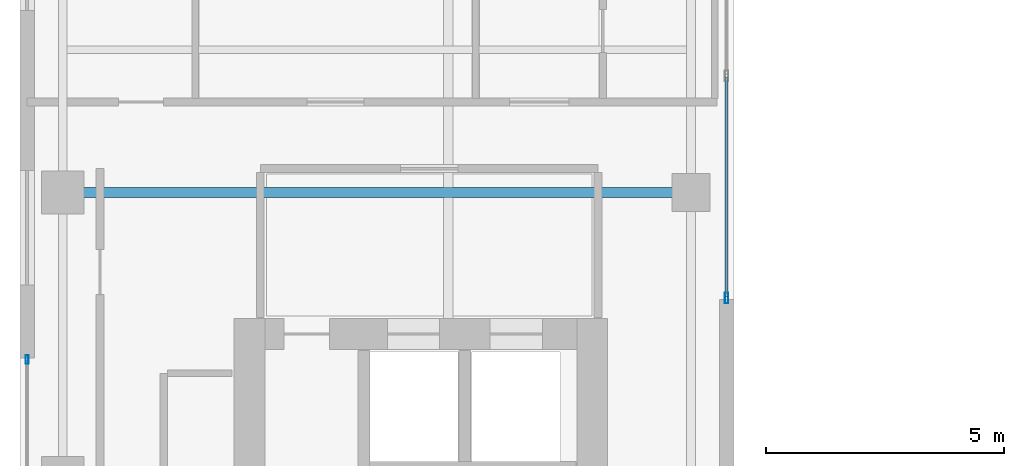
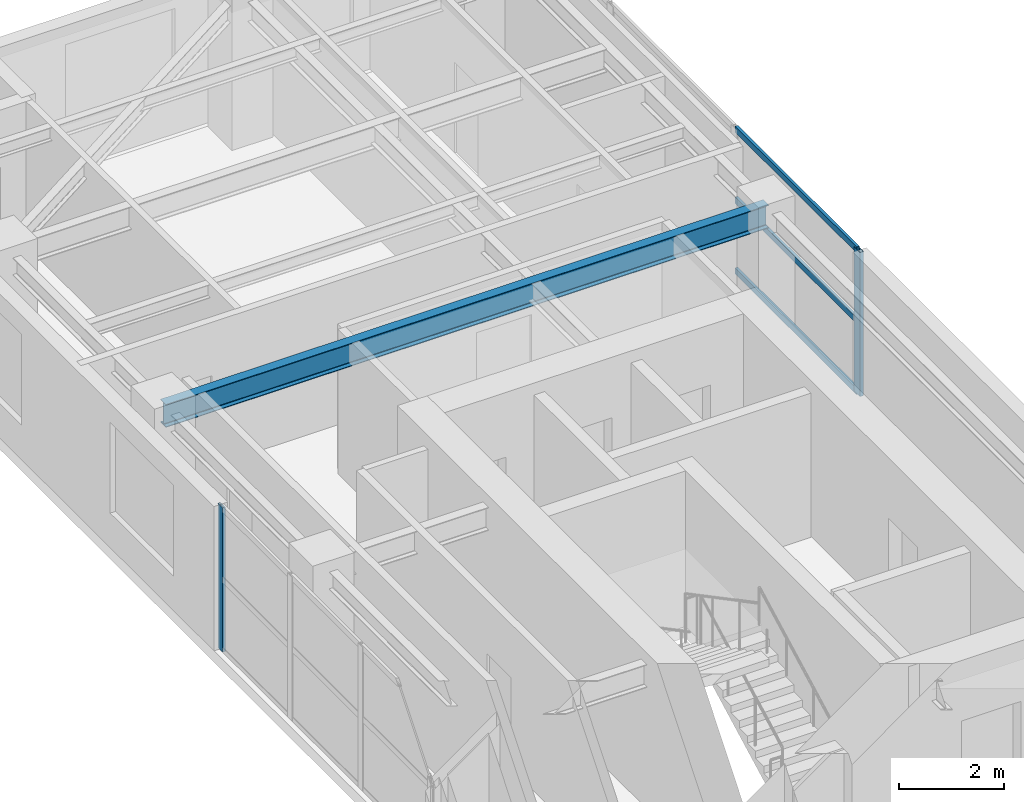
# One storey, part 7 of 22: 5 members, 1 beam, 2 elements without a shape of their own.
"""IFC4 building model written with IfcOpenShell, lengths in metres."""

from ifc_helpers import new_model, si_unit, direction, frame, origin, origin_2d, place, context, subcontext, project, spatial, hollow_rectangle, i_section, extrude, source, transform, mapped, material, layer, layer_set, material_profile, profile_set, type_object, element, aggregate, save


model = new_model("IFC4")

# Units and contexts
model_context = context("Model", 3, precision=1e-05, world=origin(), true_north=direction((0.0, 1.0)))
body_context = subcontext(model_context, "Body", "Model", "MODEL_VIEW")
ifc_project = project(units=[si_unit("LENGTHUNIT", "METRE"), si_unit("AREAUNIT", "SQUARE_METRE"), si_unit("VOLUMEUNIT", "CUBIC_METRE"), si_unit("PLANEANGLEUNIT", "RADIAN"), si_unit("MASSUNIT", "GRAM", prefix="KILO")], contexts=[model_context])

# Site, building, storey
site_placement = place(None, origin())
site = spatial("IfcSite", under=ifc_project, at=site_placement, CompositionType="ELEMENT")
building_placement = place(site_placement, origin())
building = spatial("IfcBuilding", under=site, at=building_placement, Name="Khoralis Quay Care Tower", CompositionType="ELEMENT")
storey_placement = place(building_placement, frame((0.0, 0.0, 184.5)))
storey = spatial("IfcBuildingStorey", under=building, at=storey_placement, Name="L48", CompositionType="ELEMENT", Elevation=184.5)

# Beam
ifc_material_1 = material(Name="Steel S355", Category="steel")
ifc_material_profile_1 = material_profile(ifc_material_1, i_section(OverallWidth=0.208984375, OverallDepth=0.532958984375, WebThickness=0.01025390625, FlangeThickness=0.015625, FilletRadius=0.01611328125, at=origin_2d()), Name="Steel S355")
ifc_profile_set_1 = profile_set([ifc_material_profile_1], Name="Steel S355")
beam_type = type_object("IfcBeamType", Name="BM-W530X92", PredefinedType="BEAM", material=ifc_profile_set_1)
shared_shape_1 = source(origin(), body_context, "Body", "SweptSolid", [
    extrude(i_section(OverallWidth=0.208984375, OverallDepth=0.532958984375, WebThickness=0.01025390625, FlangeThickness=0.015625, FilletRadius=0.01611328125, at=origin_2d()), origin(), (0.0, 0.0, 1.0), 13.2001953125),
])
beam_placement = place(storey_placement, frame((3.89990234375, 30.0, 3.073486328125), z_axis=(1.0, 0.0, 0.0), x_axis=(0.0, 1.0, 0.0)))
element("IfcBeam", 1, at=beam_placement, inside=storey, type_object=beam_type, Name="BM-TGXW-L48-300", PredefinedType="BEAM", context=body_context, shape_type="MappedRepresentation", body=[
    mapped(shared_shape_1, transform((0.0, 0.0, 0.0), scale=1.0)),
])

# Curtain wall, member
ifc_material_2 = material(Name="Pale anodised aluminium", Category="aluminium")
ifc_layer_1 = layer(ifc_material_2, 0.159912109375)
ifc_layer_set_1 = layer_set([ifc_layer_1], Name="Pale anodised aluminium")
curtain_wall_type_1 = type_object("IfcCurtainWallType", Name="CW-SYS-Z3", PredefinedType="NOTDEFINED", material=ifc_layer_set_1)
curtain_wall_1_placement = place(storey_placement, origin())
curtain_wall_1 = element("IfcCurtainWall", 2, at=curtain_wall_1_placement, inside=storey, type_object=curtain_wall_type_1, Name="L48 Unitised Curtain Wall CW-L48-P1-E7", PredefinedType="NOTDEFINED")
ifc_material_profile_2 = material_profile(ifc_material_2, hollow_rectangle(XDim=0.06494140625, YDim=0.179931640625, WallThickness=0.00390625, at=origin_2d()), Name="Pale anodised aluminium")
ifc_profile_set_2 = profile_set([ifc_material_profile_2], Name="Pale anodised aluminium")
member_type_1 = type_object("IfcMemberType", Name="CW-MUL-180", PredefinedType="MULLION", material=ifc_profile_set_2)
shared_shape_2 = source(origin(), body_context, "Body", "SweptSolid", [
    extrude(hollow_rectangle(XDim=0.06494140625, YDim=0.179931640625, WallThickness=0.00390625, at=origin_2d()), origin(), (0.0, 0.0, 1.0), 3.340087890625),
])
member_1_placement = place(storey_placement, frame((3.14990234375, 26.489990234375, 0.0), z_axis=(0.0, 0.0, 1.0), x_axis=(1.0, 0.0, 0.0)))
member_1 = element("IfcMember", 3, at=member_1_placement, type_object=member_type_1, Name="CW3 mullion 1", PredefinedType="MULLION", context=body_context, shape_type="MappedRepresentation", body=[
    mapped(shared_shape_2, transform((0.0, 0.0, 0.0), scale=1.0)),
])
aggregate(curtain_wall_1, [member_1])

# Curtain wall, members
ifc_layer_2 = layer(ifc_material_2, 0.18994140625)
ifc_layer_set_2 = layer_set([ifc_layer_2], Name="Pale anodised aluminium")
curtain_wall_type_2 = type_object("IfcCurtainWallType", Name="CW-SYS-PORTAL", PredefinedType="NOTDEFINED", material=ifc_layer_set_2)
curtain_wall_2_placement = place(storey_placement, origin())
curtain_wall_2 = element("IfcCurtainWall", 4, at=curtain_wall_2_placement, inside=storey, type_object=curtain_wall_type_2, Name="L48 Unitised Curtain Wall CW-VP-L48-P1-N", PredefinedType="NOTDEFINED")
ifc_material_profile_3 = material_profile(ifc_material_2, hollow_rectangle(XDim=0.074951171875, YDim=0.219970703125, WallThickness=0.00390625, at=origin_2d()), Name="Pale anodised aluminium")
ifc_profile_set_3 = profile_set([ifc_material_profile_3], Name="Pale anodised aluminium")
member_type_2 = type_object("IfcMemberType", Name="CW-MUL-220", PredefinedType="MULLION", material=ifc_profile_set_3)
shared_shape_3 = source(origin(), body_context, "Body", "SweptSolid", [
    extrude(hollow_rectangle(XDim=0.074951171875, YDim=0.219970703125, WallThickness=0.00390625, at=origin_2d()), origin(), (0.0, 0.0, 1.0), 3.340087890625),
])
member_2_placement = place(storey_placement, frame((17.85009765625, 27.780029296875, 0.0), z_axis=(0.0, 0.0, 1.0), x_axis=(-1.0, 0.0, 0.0)))
member_2 = element("IfcMember", 5, at=member_2_placement, type_object=member_type_2, Name="CW4 mullion 1", PredefinedType="MULLION", context=body_context, shape_type="MappedRepresentation", body=[
    mapped(shared_shape_3, transform((0.0, 0.0, 0.0), scale=1.0)),
])
ifc_material_profile_4 = material_profile(ifc_material_2, hollow_rectangle(XDim=0.06005859375, YDim=0.139892578125, WallThickness=0.00390625, at=origin_2d()), Name="Pale anodised aluminium")
ifc_profile_set_4 = profile_set([ifc_material_profile_4], Name="Pale anodised aluminium")
member_type_3 = type_object("IfcMemberType", Name="CW-TRN-140", PredefinedType="USERDEFINED", material=ifc_profile_set_4)
shared_shape_4 = source(origin(), body_context, "Body", "SweptSolid", [
    extrude(hollow_rectangle(XDim=0.06005859375, YDim=0.139892578125, WallThickness=0.00390625, at=origin_2d()), origin(), (0.0, 0.0, 1.0), 4.60986328125),
])
member_3_placement = place(storey_placement, frame((17.85009765625, 27.81005859375, 0.030029296875), z_axis=(0.0, 1.0, 0.0), x_axis=(-1.0, 0.0, 0.0)))
member_3 = element("IfcMember", 6, at=member_3_placement, type_object=member_type_3, Name="CW4 transom 1.1", ObjectType="TRANSOM", PredefinedType="USERDEFINED", context=body_context, shape_type="MappedRepresentation", body=[
    mapped(shared_shape_4, transform((0.0, 0.0, 0.0), scale=1.0)),
])
member_4_placement = place(storey_placement, frame((17.85009765625, 27.81005859375, 1.669921875), z_axis=(0.0, 1.0, 0.0), x_axis=(-1.0, 0.0, 0.0)))
member_4 = element("IfcMember", 7, at=member_4_placement, type_object=member_type_3, Name="CW4 transom 1.2", ObjectType="TRANSOM", PredefinedType="USERDEFINED", context=body_context, shape_type="MappedRepresentation", body=[
    mapped(shared_shape_4, transform((0.0, 0.0, 0.0), scale=1.0)),
])
member_5_placement = place(storey_placement, frame((17.85009765625, 27.81005859375, 3.31005859375), z_axis=(0.0, 1.0, 0.0), x_axis=(-1.0, 0.0, 0.0)))
member_5 = element("IfcMember", 8, at=member_5_placement, type_object=member_type_3, Name="CW4 transom 1.3", ObjectType="TRANSOM", PredefinedType="USERDEFINED", context=body_context, shape_type="MappedRepresentation", body=[
    mapped(shared_shape_4, transform((0.0, 0.0, 0.0), scale=1.0)),
])
aggregate(curtain_wall_2, [member_2, member_3, member_4, member_5])

save(model, "model.ifc")
